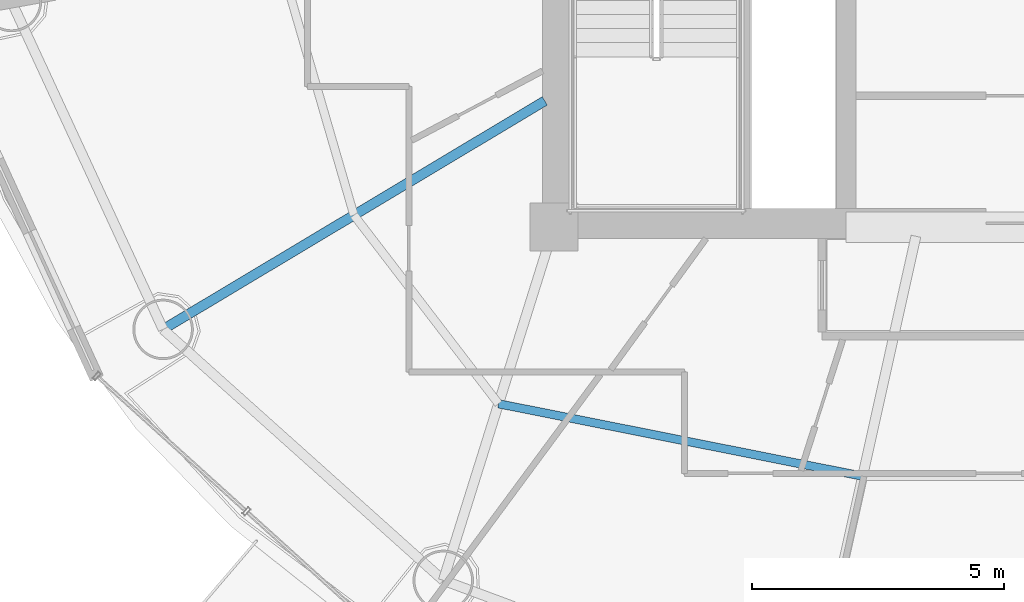
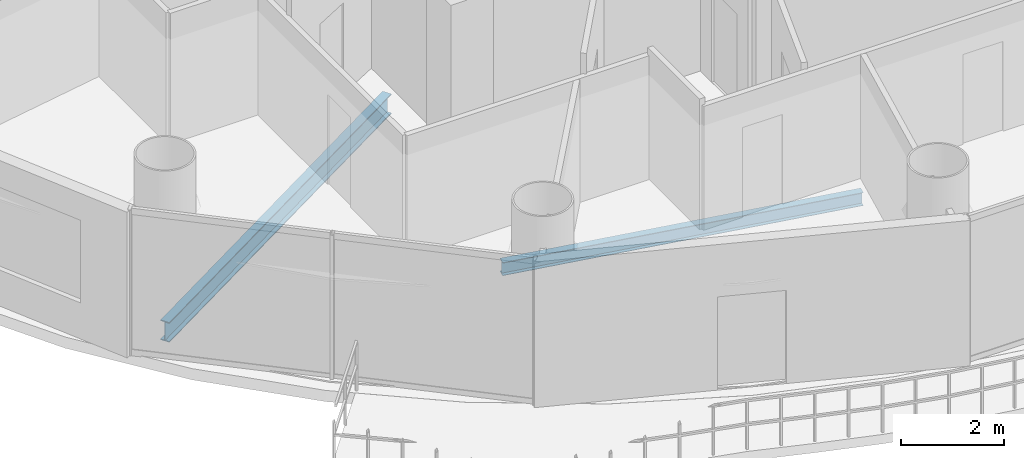
# One storey, part 4 of 27: 2 beams.
"""IFC4 building model written with IfcOpenShell, lengths in metres."""

from ifc_helpers import new_model, si_unit, direction, frame, origin, origin_2d, place, context, subcontext, project, spatial, i_section, extrude, material, material_profile, profile_set, type_object, element, save


model = new_model("IFC4")

# Units and contexts
model_context = context("Model", 3, precision=1e-05, world=origin(), true_north=direction((-0.2419218956, 0.970295726276)))
body_context = subcontext(model_context, "Body", "Model", "MODEL_VIEW")
ifc_project = project(units=[si_unit("LENGTHUNIT", "METRE"), si_unit("AREAUNIT", "SQUARE_METRE"), si_unit("VOLUMEUNIT", "CUBIC_METRE"), si_unit("PLANEANGLEUNIT", "RADIAN"), si_unit("MASSUNIT", "GRAM", prefix="KILO")], contexts=[model_context])

# Site, building, storey
site_placement = place(None, origin())
site = spatial("IfcSite", under=ifc_project, at=site_placement, CompositionType="ELEMENT")
building_placement = place(site_placement, origin())
building = spatial("IfcBuilding", under=site, at=building_placement, Name="Cobrevalo Terracotta Tower", CompositionType="ELEMENT")
storey_placement = place(building_placement, frame((0.0, 0.0, 194.89990234375)))
storey = spatial("IfcBuildingStorey", under=building, at=storey_placement, Name="L51", CompositionType="ELEMENT", Elevation=194.89990234375)

# Beams
ifc_material = material(Name="Steel S355", Category="steel")
ifc_material_profile_1 = material_profile(ifc_material, i_section(OverallWidth=0.194091796875, OverallDepth=0.468994140625, WebThickness=0.011474609375, FlangeThickness=0.0205078125, at=origin_2d()), Name="W 460x106")
ifc_profile_set_1 = profile_set([ifc_material_profile_1], Name="Steel S355")
beam_type_1 = type_object("IfcBeamType", Name="Structural Beam W 460x106 (Steel S355)", PredefinedType="BEAM", material=ifc_profile_set_1)
beam_1_placement = place(storey_placement, frame((21.245849609375, 16.77197265625, -0.49951171875), z_axis=(0.858046392192, 0.513572184651, 0.0), x_axis=(-0.513572184651, 0.858046392192, 0.0)))
element("IfcBeam", 1, at=beam_1_placement, inside=storey, type_object=beam_type_1, Name="L51 radial floor girder 10", PredefinedType="BEAM", context=body_context, shape_type="SweptSolid", body=[
    extrude(i_section(OverallWidth=0.194091796875, OverallDepth=0.468994140625, WebThickness=0.011474609375, FlangeThickness=0.0205078125, at=origin_2d()), origin(), (0.0, 0.0, 1.0), 8.827392578125),
])
ifc_material_profile_2 = material_profile(ifc_material, i_section(OverallWidth=0.1650390625, OverallDepth=0.31005859375, WebThickness=0.005859375, FlangeThickness=0.009765625, at=origin_2d()), Name="W 310x38.7")
ifc_profile_set_2 = profile_set([ifc_material_profile_2], Name="Steel S355")
beam_type_2 = type_object("IfcBeamType", Name="Structural Joist W 310x38.7 (Steel S355)", PredefinedType="JOIST", material=ifc_profile_set_2)
beam_2_placement = place(storey_placement, frame((27.902587890625, 15.2958984375, -0.419921875), z_axis=(0.980768907748, -0.195172614871, 0.0), x_axis=(0.195172614871, 0.980768907748, 0.0)))
element("IfcBeam", 2, at=beam_2_placement, inside=storey, type_object=beam_type_2, Name="L51 circumferential secondary floor joist 11", PredefinedType="JOIST", context=body_context, shape_type="SweptSolid", body=[
    extrude(i_section(OverallWidth=0.1650390625, OverallDepth=0.31005859375, WebThickness=0.005859375, FlangeThickness=0.009765625, at=origin_2d()), origin(), (0.0, 0.0, 1.0), 7.365234375),
])

save(model, "model.ifc")
